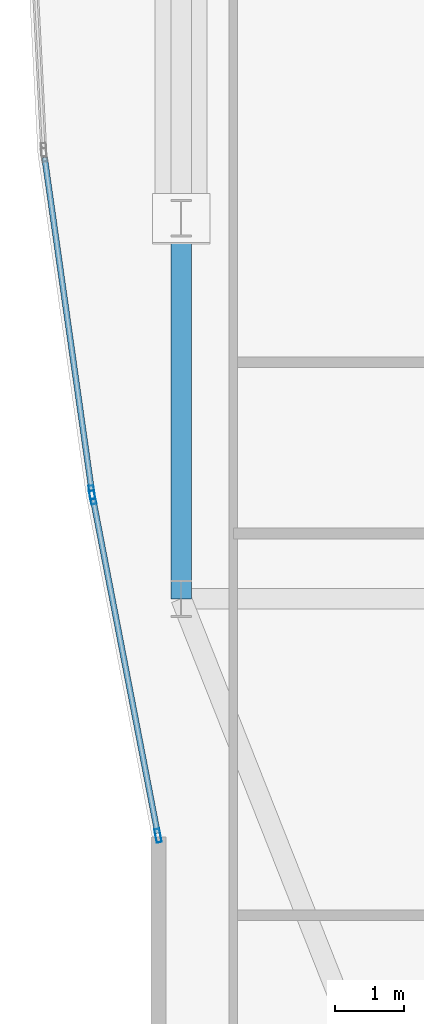
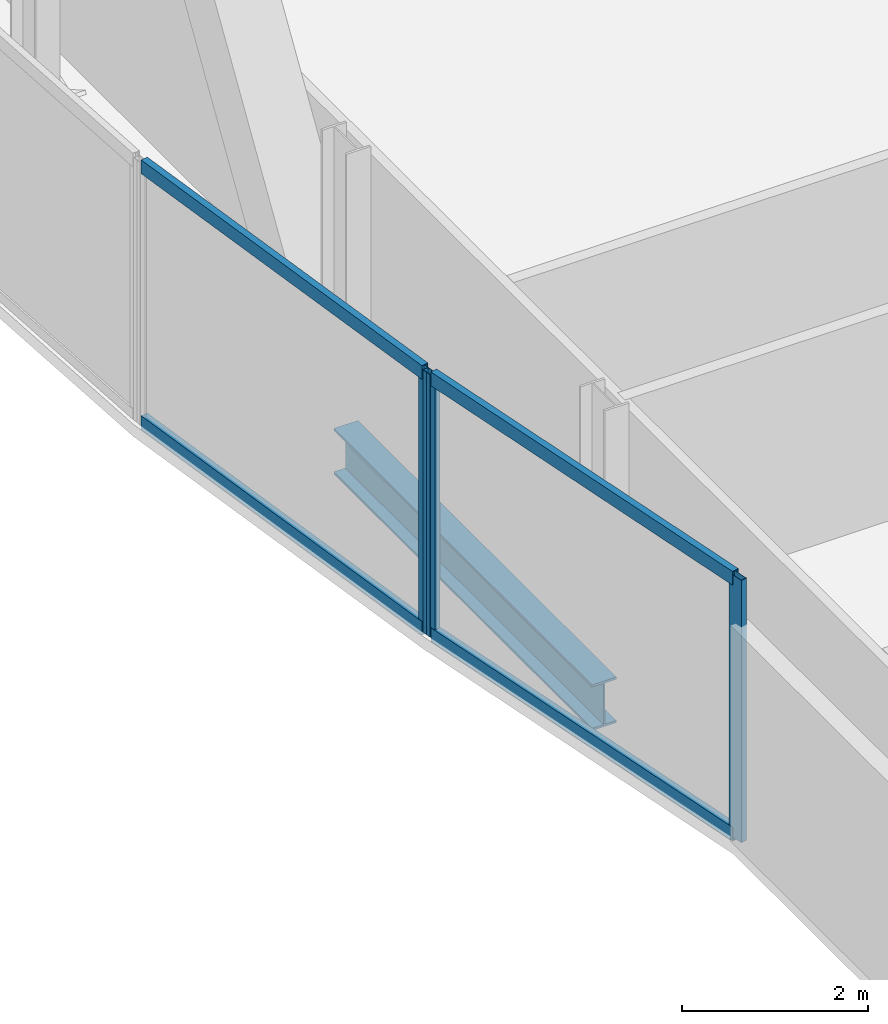
# One storey, part 6 of 33: 7 members, 1 beam, 2 elements without a shape of their own.
"""IFC4 building model written with IfcOpenShell, lengths in metres."""

from ifc_helpers import new_model, si_unit, direction, frame, origin, origin_2d, place, context, subcontext, project, spatial, hollow_rectangle, i_section, extrude, material, material_profile, profile_set, type_object, element, aggregate, save


model = new_model("IFC4")

# Units and contexts
model_context = context("Model", 3, precision=1e-05, world=origin(), true_north=direction((0.0, 1.0)))
body_context = subcontext(model_context, "Body", "Model", "MODEL_VIEW")
ifc_project = project(units=[si_unit("LENGTHUNIT", "METRE"), si_unit("AREAUNIT", "SQUARE_METRE"), si_unit("VOLUMEUNIT", "CUBIC_METRE"), si_unit("PLANEANGLEUNIT", "RADIAN"), si_unit("MASSUNIT", "GRAM", prefix="KILO")], contexts=[model_context])

# Site, building, storey
site_placement = place(None, origin())
site = spatial("IfcSite", under=ifc_project, at=site_placement, CompositionType="ELEMENT")
building_placement = place(site_placement, origin())
building = spatial("IfcBuilding", under=site, at=building_placement, Name="Khoronbel Lancet Exchange", CompositionType="ELEMENT")
storey_placement = place(building_placement, frame((0.0, 0.0, 118.199951171875)))
storey = spatial("IfcBuildingStorey", under=building, at=storey_placement, Name="L28", CompositionType="ELEMENT", Elevation=118.199951171875)

# Beam
ifc_material_1 = material(Name="Steel S355", Category="steel")
ifc_material_profile_1 = material_profile(ifc_material_1, i_section(OverallWidth=0.300048828125, OverallDepth=0.60009765625, WebThickness=0.015380859375, FlangeThickness=0.030029296875, at=origin_2d()), Name="HEB 600")
ifc_profile_set_1 = profile_set([ifc_material_profile_1], Name="Steel S355")
beam_type = type_object("IfcBeamType", Name="BM-BSP2", PredefinedType="SPANDREL", material=ifc_profile_set_1)
beam_placement = place(storey_placement, frame((3.27001953125, 24.75, -0.4599609375), z_axis=(0.0, -1.0, 0.0), x_axis=(1.0, 0.0, 0.0)))
element("IfcBeam", 1, at=beam_placement, inside=storey, type_object=beam_type, Name="Level L28 perimeter spandrel beam SP20", PredefinedType="SPANDREL", context=body_context, shape_type="SweptSolid", body=[
    extrude(i_section(OverallWidth=0.300048828125, OverallDepth=0.60009765625, WebThickness=0.015380859375, FlangeThickness=0.030029296875, at=origin_2d()), origin(), (0.0, 0.0, 1.0), 5.550048828125),
])

# Curtain wall, members
ifc_material_2 = material(Name="Low-E Solar Control Insulating Glass", Category="glass")
curtain_wall_type = type_object("IfcCurtainWallType", Name="CW-4", PredefinedType="NOTDEFINED", material=ifc_material_2)
curtain_wall_1_placement = place(storey_placement, origin())
curtain_wall_1 = element("IfcCurtainWall", 2, at=curtain_wall_1_placement, inside=storey, type_object=curtain_wall_type, Name="Unitised curtain wall CW-L28-E04", PredefinedType="NOTDEFINED")
ifc_material_3 = material(Name="Bronze-Anodised Aluminium 6063-T6", Category="aluminium")
ifc_material_profile_2 = material_profile(ifc_material_3, hollow_rectangle(XDim=0.074951171875, YDim=0.199951171875, WallThickness=0.0048828125, at=origin_2d()), Name="ALU MULLION 75x200")
ifc_profile_set_2 = profile_set([ifc_material_profile_2], Name="Bronze-Anodised Aluminium 6063-T6")
member_type_1 = type_object("IfcMemberType", Name="MEM-CWM2", PredefinedType="MULLION", material=ifc_profile_set_2)
member_1_placement = place(storey_placement, frame((2.932861328125, 15.745361328125, 0.0), z_axis=(0.0, 0.0, 1.0), x_axis=(-0.981872742913, -0.189541332498, 0.0)))
member_1 = element("IfcMember", 3, at=member_1_placement, type_object=member_type_1, Name="CW4 mullion 1", PredefinedType="MULLION", context=body_context, shape_type="SweptSolid", body=[
    extrude(hollow_rectangle(XDim=0.074951171875, YDim=0.199951171875, WallThickness=0.0048828125, at=origin_2d()), origin(), (0.0, 0.0, 1.0), 3.43994140625),
])
member_2_placement = place(storey_placement, frame((1.980712890625, 20.677978515625, 0.0), z_axis=(0.0, 0.0, 1.0), x_axis=(-0.981872742913, -0.189541332498, 0.0)))
member_2 = element("IfcMember", 4, at=member_2_placement, type_object=member_type_1, Name="CW4 mullion 2", PredefinedType="MULLION", context=body_context, shape_type="SweptSolid", body=[
    extrude(hollow_rectangle(XDim=0.074951171875, YDim=0.199951171875, WallThickness=0.0048828125, at=origin_2d()), origin(), (0.0, 0.0, 1.0), 3.43994140625),
])

# Curtain wall, member
curtain_wall_2_placement = place(storey_placement, origin())
curtain_wall_2 = element("IfcCurtainWall", 5, at=curtain_wall_2_placement, inside=storey, type_object=curtain_wall_type, Name="Unitised curtain wall CW-L28-E05", PredefinedType="NOTDEFINED")
member_3_placement = place(storey_placement, frame((1.96826171875, 20.751953125, 0.0), z_axis=(0.0, 0.0, 1.0), x_axis=(-0.990162106971, -0.139924986756, 0.0)))
member_3 = element("IfcMember", 6, at=member_3_placement, type_object=member_type_1, Name="CW4 mullion 1", PredefinedType="MULLION", context=body_context, shape_type="SweptSolid", body=[
    extrude(hollow_rectangle(XDim=0.074951171875, YDim=0.199951171875, WallThickness=0.0048828125, at=origin_2d()), origin(), (0.0, 0.0, 1.0), 3.43994140625),
])

# Member
ifc_material_profile_3 = material_profile(ifc_material_3, hollow_rectangle(XDim=0.0849609375, YDim=0.179931640625, WallThickness=0.0048828125, at=origin_2d()), Name="ALU TRANSOM 85x180")
ifc_profile_set_3 = profile_set([ifc_material_profile_3], Name="Bronze-Anodised Aluminium 6063-T6")
member_type_2 = type_object("IfcMemberType", Name="MEM-CWT1", PredefinedType="USERDEFINED", material=ifc_profile_set_3)
member_4_placement = place(storey_placement, frame((2.92578125, 15.7822265625, 0.04248046875), z_axis=(-0.189546345119, 0.98187177526, 0.0), x_axis=(-0.98187177526, -0.189546345119, 0.0)))
member_4 = element("IfcMember", 7, at=member_4_placement, type_object=member_type_2, Name="CW4 transom 1.1", ObjectType="TRANSOM", PredefinedType="USERDEFINED", context=body_context, shape_type="SweptSolid", body=[
    extrude(hollow_rectangle(XDim=0.0849609375, YDim=0.179931640625, WallThickness=0.0048828125, at=origin_2d()), origin(), (0.0, 0.0, 1.0), 4.948486328125),
])

member_5_placement = place(storey_placement, frame((2.92578125, 15.7822265625, 3.3974609375), z_axis=(-0.189546345119, 0.98187177526, 0.0), x_axis=(-0.98187177526, -0.189546345119, 0.0)))
member_5 = element("IfcMember", 8, at=member_5_placement, type_object=member_type_2, Name="CW4 transom 1.2", ObjectType="TRANSOM", PredefinedType="USERDEFINED", context=body_context, shape_type="SweptSolid", body=[
    extrude(hollow_rectangle(XDim=0.0849609375, YDim=0.179931640625, WallThickness=0.0048828125, at=origin_2d()), origin(), (0.0, 0.0, 1.0), 4.948486328125),
])

aggregate(curtain_wall_1, [member_1, member_2, member_4, member_5])

member_6_placement = place(storey_placement, frame((1.963134765625, 20.7890625, 0.04248046875), z_axis=(-0.139947386393, 0.990158941303, 0.0), x_axis=(-0.990158941303, -0.139947386393, 0.0)))
member_6 = element("IfcMember", 9, at=member_6_placement, type_object=member_type_2, Name="CW4 transom 1.1", ObjectType="TRANSOM", PredefinedType="USERDEFINED", context=body_context, shape_type="SweptSolid", body=[
    extrude(hollow_rectangle(XDim=0.0849609375, YDim=0.179931640625, WallThickness=0.0048828125, at=origin_2d()), origin(), (0.0, 0.0, 1.0), 4.893310546875),
])

member_7_placement = place(storey_placement, frame((1.963134765625, 20.7890625, 3.3974609375), z_axis=(-0.139947386393, 0.990158941303, 0.0), x_axis=(-0.990158941303, -0.139947386393, 0.0)))
member_7 = element("IfcMember", 10, at=member_7_placement, type_object=member_type_2, Name="CW4 transom 1.2", ObjectType="TRANSOM", PredefinedType="USERDEFINED", context=body_context, shape_type="SweptSolid", body=[
    extrude(hollow_rectangle(XDim=0.0849609375, YDim=0.179931640625, WallThickness=0.0048828125, at=origin_2d()), origin(), (0.0, 0.0, 1.0), 4.893310546875),
])

aggregate(curtain_wall_2, [member_3, member_6, member_7])

save(model, "model.ifc")
